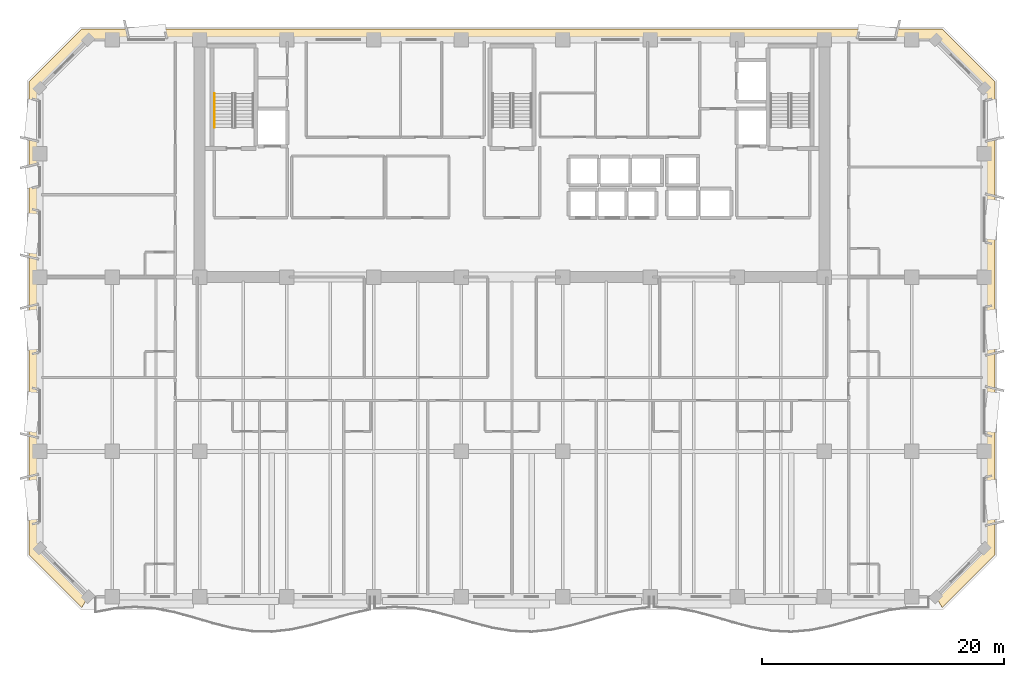
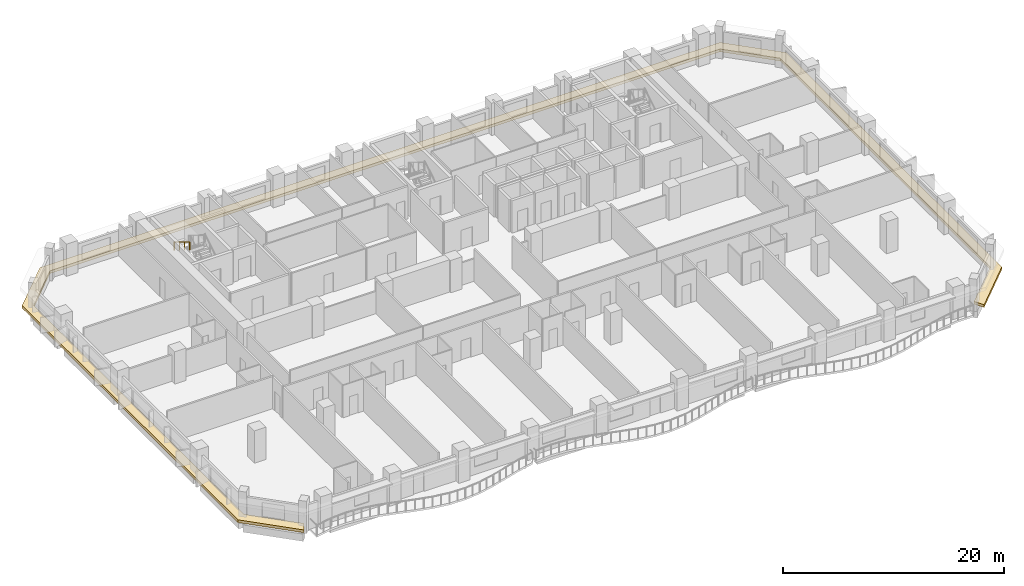
# One storey, part 11 of 14: 1 covering, 1 railing.
"""IFC4 building model written with IfcOpenShell, lengths in metres."""

from ifc_helpers import new_model, si_unit, direction, frame, origin, origin_2d, place, context, subcontext, project, spatial, polyline, rectangle, outline, extrude, material, layer, layer_set, type_object, element, save


model = new_model("IFC4")

# Units and contexts
model_context = context("Model", 3, precision=1e-05, world=origin(), true_north=direction((0.0, 1.0)))
body_context = subcontext(model_context, "Body", "Model", "MODEL_VIEW")
ifc_project = project(units=[si_unit("LENGTHUNIT", "METRE"), si_unit("AREAUNIT", "SQUARE_METRE"), si_unit("VOLUMEUNIT", "CUBIC_METRE"), si_unit("PLANEANGLEUNIT", "RADIAN"), si_unit("MASSUNIT", "GRAM", prefix="KILO")], contexts=[model_context])

# Site, building, storey
site_placement = place(None, origin())
site = spatial("IfcSite", under=ifc_project, at=site_placement, CompositionType="ELEMENT")
building_placement = place(site_placement, origin())
building = spatial("IfcBuilding", under=site, at=building_placement, Name="Kaelvorn Grand Hotel", CompositionType="ELEMENT")
storey_placement = place(building_placement, frame((0.0, 0.0, 161.949951171875)))
storey = spatial("IfcBuildingStorey", under=building, at=storey_placement, Name="L39", CompositionType="ELEMENT", Elevation=161.949951171875)

# Covering
ifc_material_1 = material(Name="Precast concrete C45/55", Category="concrete")
ifc_layer = layer(ifc_material_1, 0.219970703125)
ifc_layer_set = layer_set([ifc_layer], Name="Precast concrete C45/55")
covering_type = type_object("IfcCoveringType", Name="COV-BAND-STREAMLINE-SILL", PredefinedType="CLADDING", material=ifc_layer_set)
covering_placement = place(storey_placement, frame((0.0, 0.0, 0.449951171875)))
element("IfcCovering", 1, at=covering_placement, inside=storey, type_object=covering_type, Name="L39 Streamline Moderne Wraparound Horizontal Sill Spandrel Band", PredefinedType="CLADDING", context=body_context, shape_type="SweptSolid", body=[
    extrude(outline(polyline([(77.515380859375, 2.1201171875), (81.8798828125, 6.484619140625), (81.8798828125, 45.515380859375), (77.515380859375, 49.8798828125), (6.484619140625, 49.8798828125), (2.1201171875, 45.515380859375), (2.1201171875, 6.484619140625), (6.484619140625, 2.1201171875), (7.017578125, 3.030029296875), (3.030029296875, 7.017578125), (3.030029296875, 44.982421875), (7.017578125, 48.969970703125), (76.982421875, 48.969970703125), (80.969970703125, 44.982421875), (80.969970703125, 7.017578125), (76.982421875, 3.030029296875), (77.515380859375, 2.1201171875)])), origin(), (0.0, 0.0, 1.0), 0.300048828125),
])

# Railing
ifc_material_2 = material(Name="Stainless Steel", Category="steel")
railing_type = type_object("IfcRailingType", Name="RL-HANDRAIL-900", PredefinedType="HANDRAIL", material=ifc_material_2)
railing_placement = place(storey_placement, frame((17.449951171875, 44.56005859375, 2.07275390625)))
element("IfcRailing", 2, at=railing_placement, inside=storey, type_object=railing_type, Name="L39 ST1 stair handrail 2", PredefinedType="HANDRAIL", context=body_context, shape_type="SweptSolid", body=[
    extrude(rectangle(XDim=0.048095703125, YDim=0.048095703125, at=origin_2d()), frame((0.0, 0.0, 0.8759765625), z_axis=(0.0, -0.851089632645, 0.525020415988), x_axis=(1.0, 0.0, 0.0)), (0.0, 0.0, 1.0), 3.2900390625),
    extrude(rectangle(XDim=0.0419921875, YDim=0.0419921875, at=origin_2d()), origin(), (0.0, 0.0, 1.0), 0.851806640625),
    extrude(rectangle(XDim=0.0419921875, YDim=0.0419921875, at=origin_2d()), frame((0.0, -0.933349609375, 0.57568359375)), (0.0, 0.0, 1.0), 0.851806640625),
    extrude(rectangle(XDim=0.0419921875, YDim=0.0419921875, at=origin_2d()), frame((0.0, -1.86669921875, 1.151611328125)), (0.0, 0.0, 1.0), 0.851806640625),
    extrude(rectangle(XDim=0.0419921875, YDim=0.0419921875, at=origin_2d()), frame((0.0, -2.800048828125, 1.727294921875)), (0.0, 0.0, 1.0), 0.851806640625),
])

save(model, "model.ifc")
